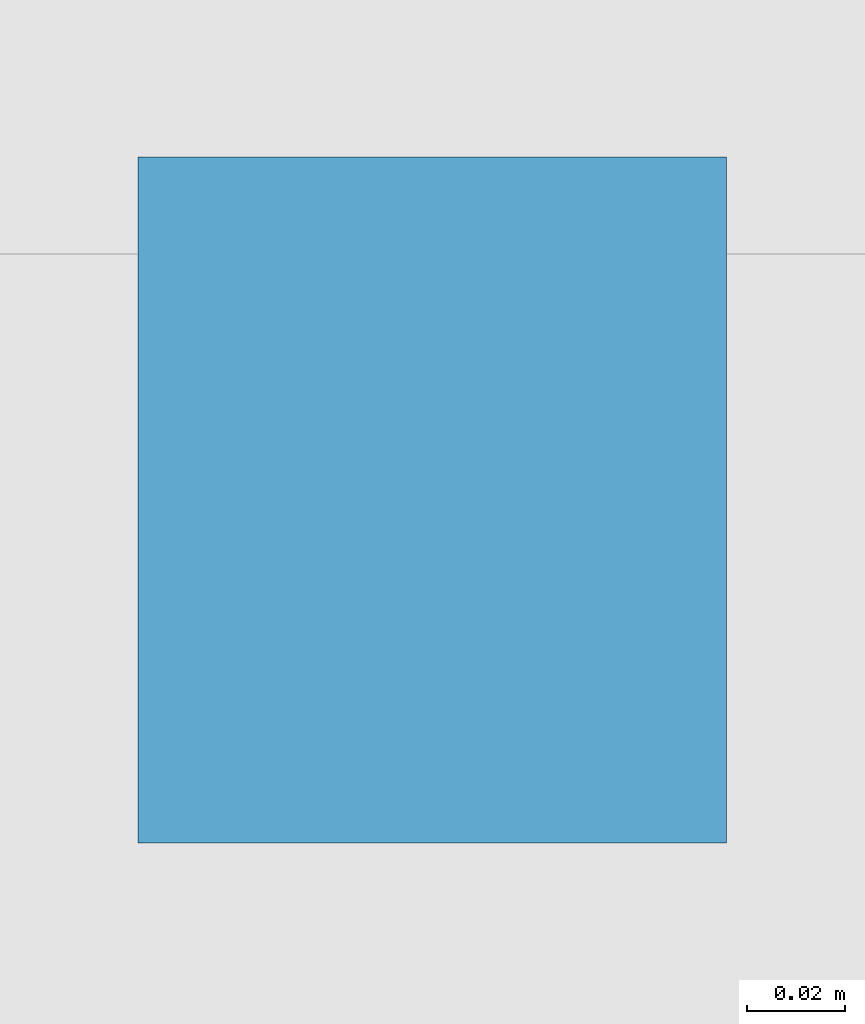
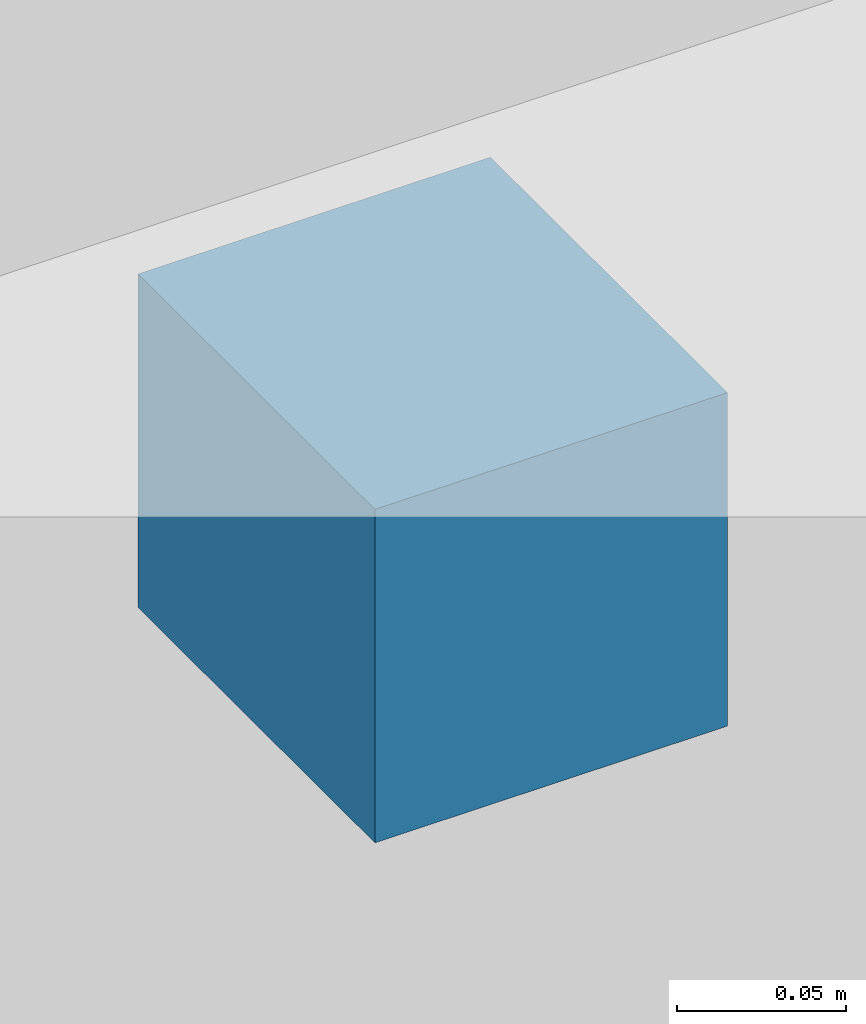
# One storey, part 72 of 80: 1 discrete accessory.
"""IFC4 building model written with IfcOpenShell, lengths in metres."""

from ifc_helpers import new_model, si_unit, direction, frame, origin, origin_2d, place, context, subcontext, project, spatial, rectangle, extrude, material, type_object, element, save


model = new_model("IFC4")

# Units and contexts
model_context = context("Model", 3, precision=1e-05, world=origin(), true_north=direction((0.0, 1.0)))
body_context = subcontext(model_context, "Body", "Model", "MODEL_VIEW")
ifc_project = project(units=[si_unit("LENGTHUNIT", "METRE"), si_unit("AREAUNIT", "SQUARE_METRE"), si_unit("VOLUMEUNIT", "CUBIC_METRE"), si_unit("PLANEANGLEUNIT", "RADIAN"), si_unit("MASSUNIT", "GRAM", prefix="KILO"), si_unit("POWERUNIT", "WATT"), si_unit("THERMODYNAMICTEMPERATUREUNIT", "KELVIN")], contexts=[model_context])

# Site, building, storey
site_placement = place(None, origin())
site = spatial("IfcSite", under=ifc_project, at=site_placement, CompositionType="ELEMENT")
building_placement = place(site_placement, origin())
building = spatial("IfcBuilding", under=site, at=building_placement, Name="Kelmbourne Parkland Aquatics Centre", CompositionType="ELEMENT")
storey_placement = place(building_placement, frame((0.0, 0.0, 10.199951171875)))
storey = spatial("IfcBuildingStorey", under=building, at=storey_placement, Name="L02", CompositionType="ELEMENT", Elevation=10.199951171875)

# Discrete accessory
ifc_material = material(Name="Hot-dip galvanised structural steel AS/NZS 4680", Category="steel")
discrete_accessory_type = type_object("IfcDiscreteAccessoryType", Name="ACC-BRK-1", PredefinedType="BRACKET", material=ifc_material)
discrete_accessory_placement = place(storey_placement, frame((37.423095703125, 0.5849609375, 1.840087890625), z_axis=(0.0, 0.0, 1.0), x_axis=(1.0, 0.0, 0.0)))
element("IfcDiscreteAccessory", 1, at=discrete_accessory_placement, inside=storey, type_object=discrete_accessory_type, Name="Galvanised sunshade fixing bracket 147", PredefinedType="BRACKET", context=body_context, shape_type="SweptSolid", body=[
    extrude(rectangle(XDim=0.1201171875, YDim=0.139892578125, at=origin_2d()), origin(), (0.0, 0.0, 1.0), 0.1201171875),
])

save(model, "model.ifc")
